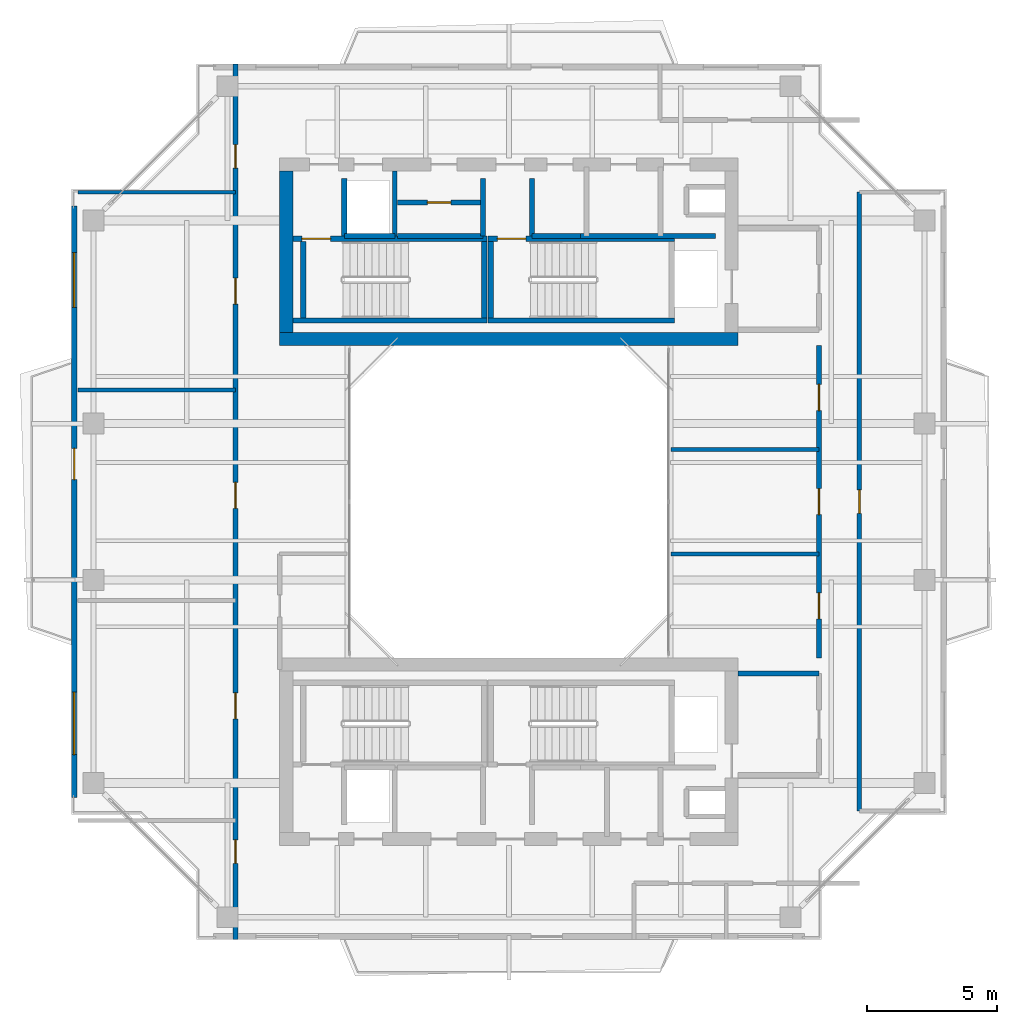
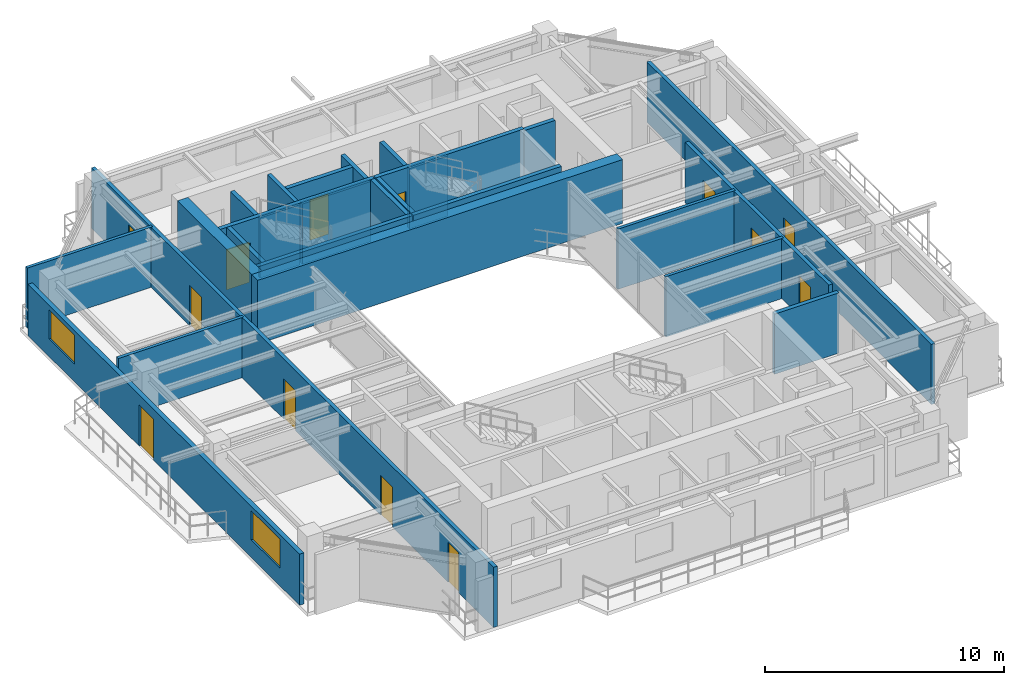
# One storey, part 11 of 15: 27 walls, 13 doors, 2 windows, 15 openings.
"""IFC4 building model written with IfcOpenShell, lengths in metres."""

from ifc_helpers import new_model, si_unit, direction, frame, frame_2d, origin, place, context, subcontext, project, spatial, rectangle, extrude, source, transform, mapped, material, layer, layer_set, type_object, element, fill, save


model = new_model("IFC4")

# Units and contexts
model_context = context("Model", 3, precision=1e-05, world=origin(), true_north=direction((0.0, 1.0)))
body_context = subcontext(model_context, "Body", "Model", "MODEL_VIEW")
ifc_project = project(units=[si_unit("LENGTHUNIT", "METRE"), si_unit("AREAUNIT", "SQUARE_METRE"), si_unit("VOLUMEUNIT", "CUBIC_METRE"), si_unit("PLANEANGLEUNIT", "RADIAN"), si_unit("MASSUNIT", "GRAM", prefix="KILO"), si_unit("THERMODYNAMICTEMPERATUREUNIT", "KELVIN"), si_unit("POWERUNIT", "WATT")], contexts=[model_context])

# Site, building, storey
site_placement = place(None, origin())
site = spatial("IfcSite", under=ifc_project, at=site_placement, CompositionType="ELEMENT")
building_placement = place(site_placement, origin())
building = spatial("IfcBuilding", under=site, at=building_placement, Name="Qiaomeng Ring Towers", CompositionType="ELEMENT")
storey_placement = place(building_placement, frame((0.0, 0.0, 219.75)))
storey = spatial("IfcBuildingStorey", under=building, at=storey_placement, Name="L64", CompositionType="ELEMENT", Elevation=219.75)

# Wall, openings, windows, door
ifc_material_1 = material(Name="Precast concrete C40", Category="concrete")
ifc_layer_1 = layer(ifc_material_1, 0.219970703125, Name="Precast concrete C40")
ifc_layer_set_1 = layer_set([ifc_layer_1], Name="Precast concrete C40")
wall_type_1 = type_object("IfcWallType", Name="ARC-WL-EW2", PredefinedType="STANDARD", material=ifc_layer_set_1)
wall_1_placement = place(storey_placement, frame((2.31005859375, 11.64990234375, 0.0), z_axis=(0.0, 0.0, 1.0), x_axis=(0.0, 1.0, 0.0)))
wall_1 = element("IfcWall", 1, at=wall_1_placement, inside=storey, type_object=wall_type_1, Name="L64 Tower 1 W Exterior Wall", PredefinedType="STANDARD", context=body_context, shape_type="SweptSolid", body=[
    extrude(rectangle(XDim=22.7001953125, YDim=0.219970703125, at=frame_2d((11.35009765625, 0.0))), origin(), (0.0, 0.0, 1.0), 2.610107421875),
])
opening_1_placement = place(wall_1_placement, frame((12.199951171875, 0.0, 0.0)))
opening_1 = element("IfcOpeningElement", 2, at=opening_1_placement, cuts=wall_1, Name="Opening BD1", PredefinedType="OPENING", context=body_context, shape_type="SweptSolid", body=[
    extrude(rectangle(XDim=1.199951171875, YDim=2.10009765625, at=frame_2d((0.60009765625, 1.050048828125))), frame((0.0, 0.119873046875, 0.0), z_axis=(0.0, -1.0, 0.0), x_axis=(1.0, 0.0, 0.0)), (0.0, 0.0, 1.0), 0.239990234375),
])
opening_2_placement = place(wall_1_placement, frame((1.637939453125, 0.0, 0.89990234375)))
opening_2 = element("IfcOpeningElement", 3, at=opening_2_placement, cuts=wall_1, Name="Opening WN6", PredefinedType="OPENING", context=body_context, shape_type="SweptSolid", body=[
    extrude(rectangle(XDim=2.39990234375, YDim=1.47998046875, at=frame_2d((1.199951171875, 0.739990234375))), frame((0.0, 0.119873046875, 0.0), z_axis=(0.0, -1.0, 0.0), x_axis=(1.0, 0.0, 0.0)), (0.0, 0.0, 1.0), 0.239990234375),
])
opening_3_placement = place(wall_1_placement, frame((18.81298828125, 0.0, 0.89990234375)))
opening_3 = element("IfcOpeningElement", 4, at=opening_3_placement, cuts=wall_1, Name="Opening WN4", PredefinedType="OPENING", context=body_context, shape_type="SweptSolid", body=[
    extrude(rectangle(XDim=2.10009765625, YDim=1.47998046875, at=frame_2d((1.050048828125, 0.739990234375))), frame((0.0, 0.119873046875, 0.0), z_axis=(0.0, -1.0, 0.0), x_axis=(1.0, 0.0, 0.0)), (0.0, 0.0, 1.0), 0.239990234375),
])
ifc_material_2 = material(Name="Low-E dark-grey laminated double glazing", Category="glass")
window_type_1 = type_object("IfcWindowType", Name="ARC-WN-4", PartitioningType="TRIPLE_PANEL_VERTICAL", PredefinedType="WINDOW", material=ifc_material_2)
shared_shape_1 = source(origin(), body_context, "Body", "SweptSolid", [
    extrude(rectangle(XDim=2.10009765625, YDim=1.47998046875, at=frame_2d((1.050048828125, 0.739990234375))), frame((0.0, 0.030029296875, 0.0), z_axis=(0.0, -1.0, 0.0), x_axis=(1.0, 0.0, 0.0)), (0.0, 0.0, 1.0), 0.06005859375),
])
window_1_placement = place(opening_3_placement, origin())
window_1 = element("IfcWindow", 5, at=window_1_placement, inside=storey, type_object=window_type_1, Name="L64 Exterior Window WN4", OverallHeight=1.47998046875, OverallWidth=2.10009765625, PartitioningType="TRIPLE_PANEL_VERTICAL", PredefinedType="WINDOW", context=body_context, shape_type="MappedRepresentation", body=[
    mapped(shared_shape_1, transform((0.0, 0.0, 0.0), x_axis=(1.0, 0.0, 0.0), y_axis=(0.0, 1.0, 0.0), z_axis=(0.0, 0.0, 1.0), scale=1.0)),
])
fill(opening_3, window_1)
window_type_2 = type_object("IfcWindowType", Name="ARC-WN-6", PartitioningType="TRIPLE_PANEL_VERTICAL", PredefinedType="WINDOW", material=ifc_material_2)
shared_shape_2 = source(origin(), body_context, "Body", "SweptSolid", [
    extrude(rectangle(XDim=2.39990234375, YDim=1.47998046875, at=frame_2d((1.199951171875, 0.739990234375))), frame((0.0, 0.030029296875, 0.0), z_axis=(0.0, -1.0, 0.0), x_axis=(1.0, 0.0, 0.0)), (0.0, 0.0, 1.0), 0.06005859375),
])
window_2_placement = place(opening_2_placement, origin())
window_2 = element("IfcWindow", 6, at=window_2_placement, inside=storey, type_object=window_type_2, Name="L64 Exterior Window WN6", OverallHeight=1.47998046875, OverallWidth=2.39990234375, PartitioningType="TRIPLE_PANEL_VERTICAL", PredefinedType="WINDOW", context=body_context, shape_type="MappedRepresentation", body=[
    mapped(shared_shape_2, transform((0.0, 0.0, 0.0), x_axis=(1.0, 0.0, 0.0), y_axis=(0.0, 1.0, 0.0), z_axis=(0.0, 0.0, 1.0), scale=1.0)),
])
fill(opening_2, window_2)
door_type_1 = type_object("IfcDoorType", Name="ARC-DR-BD1", OperationType="NOTDEFINED", PredefinedType="DOOR", material=ifc_material_2)
shared_shape_3 = source(origin(), body_context, "Body", "SweptSolid", [
    extrude(rectangle(XDim=1.199951171875, YDim=2.10009765625, at=frame_2d((0.60009765625, 1.050048828125))), frame((0.0, 0.02490234375, 0.0), z_axis=(0.0, -1.0, 0.0), x_axis=(1.0, 0.0, 0.0)), (0.0, 0.0, 1.0), 0.050048828125),
])
door_1_placement = place(opening_1_placement, frame((1.199951171875, 0.0, 0.0), z_axis=(0.0, 0.0, 1.0), x_axis=(-1.0, 0.0, 0.0)))
door_1 = element("IfcDoor", 7, at=door_1_placement, inside=storey, type_object=door_type_1, Name="L64 W Balcony Glazed Door", OperationType="SINGLE_SWING_LEFT", OverallHeight=2.10009765625, OverallWidth=1.199951171875, PredefinedType="DOOR", context=body_context, shape_type="MappedRepresentation", body=[
    mapped(shared_shape_3, transform((0.0, 0.0, 0.0), x_axis=(1.0, 0.0, 0.0), y_axis=(0.0, 1.0, 0.0), z_axis=(0.0, 0.0, 1.0), scale=1.0)),
])
fill(opening_1, door_1)

# Walls
ifc_material_3 = material(Name="Autoclaved aerated concrete block", Category="concrete")
ifc_layer_2 = layer(ifc_material_3, 0.199951171875, Name="Autoclaved aerated concrete block")
ifc_layer_set_2 = layer_set([ifc_layer_2], Name="Autoclaved aerated concrete block")
wall_type_2 = type_object("IfcWallType", Name="ARC-WL-PW1", PredefinedType="PARTITIONING", material=ifc_layer_set_2)
wall_2_placement = place(storey_placement, frame((27.800048828125, 16.39990234375, 0.0), z_axis=(0.0, 0.0, 1.0), x_axis=(1.0, 0.0, 0.0)))
element("IfcWall", 8, at=wall_2_placement, inside=storey, type_object=wall_type_2, Name="L64 Interior Wall PW1", PredefinedType="PARTITIONING", context=body_context, shape_type="SweptSolid", body=[
    extrude(rectangle(XDim=3.099853515625, YDim=0.199951171875, at=frame_2d((1.5498046875, 0.0))), origin(), (0.0, 0.0, 1.0), 3.070068359375),
])
for number, where, z_axis, x_axis, name in (
    (9, (12.679931640625, 33.18994140625, 0.0), (0.0, 0.0, 1.0), (0.0, 1.0, 0.0), "L64 Interior Wall PW1"),
    (10, (18.0, 33.18994140625, 0.0), (0.0, 0.0, 1.0), (0.0, 1.0, 0.0), "L64 Interior Wall PW1"),
    (11, (19.8798828125, 33.18994140625, 0.0), (0.0, 0.0, 1.0), (0.0, 1.0, 0.0), "L64 Interior Wall PW1"),
):
    element("IfcWall", number, at=place(storey_placement, frame(where, z_axis=z_axis, x_axis=x_axis)), inside=storey, type_object=wall_type_2, Name=name, PredefinedType="PARTITIONING", context=body_context, shape_type="SweptSolid", body=[
        extrude(rectangle(XDim=2.2099609375, YDim=0.199951171875, at=frame_2d((1.10498046875, 0.0))), origin(), (0.0, 0.0, 1.0), 3.070068359375),
    ])

# Wall, opening, door
wall_3_placement = place(storey_placement, frame((14.719970703125, 34.47998046875, 0.0), z_axis=(0.0, 0.0, 1.0), x_axis=(1.0, 0.0, 0.0)))
wall_3 = element("IfcWall", 12, at=wall_3_placement, inside=storey, type_object=wall_type_2, Name="L64 Interior Wall PW1", PredefinedType="PARTITIONING", context=body_context, shape_type="SweptSolid", body=[
    extrude(rectangle(XDim=3.280029296875, YDim=0.199951171875, at=frame_2d((1.64013671875, 0.0))), origin(), (0.0, 0.0, 1.0), 3.070068359375),
])
opening_4_placement = place(wall_3_placement, frame((1.14990234375, 0.0, 0.0)))
opening_4 = element("IfcOpeningElement", 13, at=opening_4_placement, cuts=wall_3, Name="Opening ID1", PredefinedType="OPENING", context=body_context, shape_type="SweptSolid", body=[
    extrude(rectangle(XDim=0.89990234375, YDim=2.050048828125, at=frame_2d((0.449951171875, 1.02490234375))), frame((0.0, 0.10986328125, 0.0), z_axis=(0.0, -1.0, 0.0), x_axis=(1.0, 0.0, 0.0)), (0.0, 0.0, 1.0), 0.219970703125),
])
ifc_material_4 = material(Name="Engineered oak timber", Category="wood")
door_type_2 = type_object("IfcDoorType", Name="ARC-DR-ID1", OperationType="NOTDEFINED", PredefinedType="DOOR", material=ifc_material_4)
shared_shape_4 = source(origin(), body_context, "Body", "SweptSolid", [
    extrude(rectangle(XDim=0.89990234375, YDim=2.050048828125, at=frame_2d((0.449951171875, 1.02490234375))), frame((0.0, 0.02490234375, 0.0), z_axis=(0.0, -1.0, 0.0), x_axis=(1.0, 0.0, 0.0)), (0.0, 0.0, 1.0), 0.050048828125),
])
door_2_placement = place(opening_4_placement, origin())
door_2 = element("IfcDoor", 14, at=door_2_placement, inside=storey, type_object=door_type_2, Name="L64 Door ID1", OperationType="SINGLE_SWING_RIGHT", OverallHeight=2.050048828125, OverallWidth=0.89990234375, PredefinedType="DOOR", context=body_context, shape_type="MappedRepresentation", body=[
    mapped(shared_shape_4, transform((0.0, 0.0, 0.0), x_axis=(1.0, 0.0, 0.0), y_axis=(0.0, 1.0, 0.0), z_axis=(0.0, 0.0, 1.0), scale=1.0)),
])
fill(opening_4, door_2)

# Walls
wall_4_placement = place(storey_placement, frame((14.719970703125, 33.199951171875, 0.0), z_axis=(0.0, 0.0, 1.0), x_axis=(1.0, 0.0, 0.0)))
element("IfcWall", 15, at=wall_4_placement, inside=storey, type_object=wall_type_2, Name="L64 Interior Wall PW1", PredefinedType="PARTITIONING", context=body_context, shape_type="SweptSolid", body=[
    extrude(rectangle(XDim=3.280029296875, YDim=0.199951171875, at=frame_2d((1.64013671875, 0.0))), origin(), (0.0, 0.0, 1.0), 3.070068359375),
])
wall_5_placement = place(storey_placement, frame((19.8798828125, 33.199951171875, 0.0), z_axis=(0.0, 0.0, 1.0), x_axis=(1.0, 0.0, 0.0)))
element("IfcWall", 16, at=wall_5_placement, inside=storey, type_object=wall_type_2, Name="L64 Interior Wall PW1", PredefinedType="PARTITIONING", context=body_context, shape_type="SweptSolid", body=[
    extrude(rectangle(XDim=1.8701171875, YDim=0.199951171875, at=frame_2d((0.93505859375, 0.0))), origin(), (0.0, 0.0, 1.0), 3.070068359375),
])
wall_6_placement = place(storey_placement, frame((21.75, 33.199951171875, 0.0), z_axis=(0.0, 0.0, 1.0), x_axis=(1.0, 0.0, 0.0)))
element("IfcWall", 17, at=wall_6_placement, inside=storey, type_object=wall_type_2, Name="L64 Interior Wall PW1", PredefinedType="PARTITIONING", context=body_context, shape_type="SweptSolid", body=[
    extrude(rectangle(XDim=5.169921875, YDim=0.199951171875, at=frame_2d((2.5849609375, 0.0))), origin(), (0.0, 0.0, 1.0), 3.070068359375),
])

# Wall, openings, doors
ifc_layer_3 = layer(ifc_material_3, 0.179931640625, Name="Autoclaved aerated concrete block")
ifc_layer_set_3 = layer_set([ifc_layer_3], Name="Autoclaved aerated concrete block")
wall_type_3 = type_object("IfcWallType", Name="ARC-WL-PW2", PredefinedType="PARTITIONING", material=ifc_layer_set_3)
wall_7_placement = place(storey_placement, frame((8.5, 6.199951171875, 0.0), z_axis=(0.0, 0.0, 1.0), x_axis=(0.0, 1.0, 0.0)))
wall_7 = element("IfcWall", 18, at=wall_7_placement, inside=storey, type_object=wall_type_3, Name="L64 Interior Wall PW2", PredefinedType="PARTITIONING", context=body_context, shape_type="SweptSolid", body=[
    extrude(rectangle(XDim=33.60009765625, YDim=0.179931640625, at=frame_2d((16.800048828125, 0.0))), origin(), (0.0, 0.0, 1.0), 3.070068359375),
])
opening_5_placement = place(wall_7_placement, frame((29.60498046875, 0.0, 0.0)))
opening_5 = element("IfcOpeningElement", 19, at=opening_5_placement, cuts=wall_7, Name="Opening ID1", PredefinedType="OPENING", context=body_context, shape_type="SweptSolid", body=[
    extrude(rectangle(XDim=0.89990234375, YDim=2.050048828125, at=frame_2d((0.449951171875, 1.02490234375))), frame((0.0, 0.099853515625, 0.0), z_axis=(0.0, -1.0, 0.0), x_axis=(1.0, 0.0, 0.0)), (0.0, 0.0, 1.0), 0.199951171875),
])
opening_6_placement = place(wall_7_placement, frame((2.919921875, 0.0, 0.0)))
opening_6 = element("IfcOpeningElement", 20, at=opening_6_placement, cuts=wall_7, Name="Opening ID1", PredefinedType="OPENING", context=body_context, shape_type="SweptSolid", body=[
    extrude(rectangle(XDim=0.89990234375, YDim=2.050048828125, at=frame_2d((0.449951171875, 1.02490234375))), frame((0.0, 0.099853515625, 0.0), z_axis=(0.0, -1.0, 0.0), x_axis=(1.0, 0.0, 0.0)), (0.0, 0.0, 1.0), 0.199951171875),
])
opening_7_placement = place(wall_7_placement, frame((8.4599609375, 0.0, 0.0)))
opening_7 = element("IfcOpeningElement", 21, at=opening_7_placement, cuts=wall_7, Name="Opening FD4", PredefinedType="OPENING", context=body_context, shape_type="SweptSolid", body=[
    extrude(rectangle(XDim=1.0, YDim=2.050048828125, at=frame_2d((0.5, 1.02490234375))), frame((0.0, 0.099853515625, 0.0), z_axis=(0.0, -1.0, 0.0), x_axis=(1.0, 0.0, 0.0)), (0.0, 0.0, 1.0), 0.199951171875),
])
opening_8_placement = place(wall_7_placement, frame((16.5400390625, 0.0, 0.0)))
opening_8 = element("IfcOpeningElement", 22, at=opening_8_placement, cuts=wall_7, Name="Opening FD4", PredefinedType="OPENING", context=body_context, shape_type="SweptSolid", body=[
    extrude(rectangle(XDim=1.0, YDim=2.050048828125, at=frame_2d((0.5, 1.02490234375))), frame((0.0, 0.099853515625, 0.0), z_axis=(0.0, -1.0, 0.0), x_axis=(1.0, 0.0, 0.0)), (0.0, 0.0, 1.0), 0.199951171875),
])
opening_9_placement = place(wall_7_placement, frame((24.3798828125, 0.0, 0.0)))
opening_9 = element("IfcOpeningElement", 23, at=opening_9_placement, cuts=wall_7, Name="Opening FD4", PredefinedType="OPENING", context=body_context, shape_type="SweptSolid", body=[
    extrude(rectangle(XDim=1.0, YDim=2.050048828125, at=frame_2d((0.5, 1.02490234375))), frame((0.0, 0.099853515625, 0.0), z_axis=(0.0, -1.0, 0.0), x_axis=(1.0, 0.0, 0.0)), (0.0, 0.0, 1.0), 0.199951171875),
])
ifc_material_5 = material(Name="Engineered fire-rated oak timber", Category="wood")
door_type_3 = type_object("IfcDoorType", Name="ARC-DR-FD4", OperationType="NOTDEFINED", PredefinedType="DOOR", material=ifc_material_5)
shared_shape_5 = source(origin(), body_context, "Body", "SweptSolid", [
    extrude(rectangle(XDim=1.0, YDim=2.050048828125, at=frame_2d((0.5, 1.02490234375))), frame((0.0, 0.02490234375, 0.0), z_axis=(0.0, -1.0, 0.0), x_axis=(1.0, 0.0, 0.0)), (0.0, 0.0, 1.0), 0.050048828125),
])
door_3_placement = place(opening_7_placement, origin())
door_3 = element("IfcDoor", 24, at=door_3_placement, inside=storey, type_object=door_type_3, Name="L64 Door FD4", OperationType="SINGLE_SWING_RIGHT", OverallHeight=2.050048828125, OverallWidth=1.0, PredefinedType="DOOR", context=body_context, shape_type="MappedRepresentation", body=[
    mapped(shared_shape_5, transform((0.0, 0.0, 0.0), x_axis=(1.0, 0.0, 0.0), y_axis=(0.0, 1.0, 0.0), z_axis=(0.0, 0.0, 1.0), scale=1.0)),
])
fill(opening_7, door_3)
door_4_placement = place(opening_8_placement, origin())
door_4 = element("IfcDoor", 25, at=door_4_placement, inside=storey, type_object=door_type_3, Name="L64 Door FD4", OperationType="SINGLE_SWING_LEFT", OverallHeight=2.050048828125, OverallWidth=1.0, PredefinedType="DOOR", context=body_context, shape_type="MappedRepresentation", body=[
    mapped(shared_shape_5, transform((0.0, 0.0, 0.0), x_axis=(1.0, 0.0, 0.0), y_axis=(0.0, 1.0, 0.0), z_axis=(0.0, 0.0, 1.0), scale=1.0)),
])
fill(opening_8, door_4)
door_5_placement = place(opening_9_placement, origin())
door_5 = element("IfcDoor", 26, at=door_5_placement, inside=storey, type_object=door_type_3, Name="L64 Door FD4", OperationType="SINGLE_SWING_RIGHT", OverallHeight=2.050048828125, OverallWidth=1.0, PredefinedType="DOOR", context=body_context, shape_type="MappedRepresentation", body=[
    mapped(shared_shape_5, transform((0.0, 0.0, 0.0), x_axis=(1.0, 0.0, 0.0), y_axis=(0.0, 1.0, 0.0), z_axis=(0.0, 0.0, 1.0), scale=1.0)),
])
fill(opening_9, door_5)
door_6_placement = place(opening_5_placement, origin())
door_6 = element("IfcDoor", 27, at=door_6_placement, inside=storey, type_object=door_type_2, Name="L64 Door ID1", OperationType="SINGLE_SWING_RIGHT", OverallHeight=2.050048828125, OverallWidth=0.89990234375, PredefinedType="DOOR", context=body_context, shape_type="MappedRepresentation", body=[
    mapped(shared_shape_4, transform((0.0, 0.0, 0.0), x_axis=(1.0, 0.0, 0.0), y_axis=(0.0, 1.0, 0.0), z_axis=(0.0, 0.0, 1.0), scale=1.0)),
])
fill(opening_5, door_6)
door_7_placement = place(opening_6_placement, origin())
door_7 = element("IfcDoor", 28, at=door_7_placement, inside=storey, type_object=door_type_2, Name="L64 Door ID1", OperationType="SINGLE_SWING_LEFT", OverallHeight=2.050048828125, OverallWidth=0.89990234375, PredefinedType="DOOR", context=body_context, shape_type="MappedRepresentation", body=[
    mapped(shared_shape_4, transform((0.0, 0.0, 0.0), x_axis=(1.0, 0.0, 0.0), y_axis=(0.0, 1.0, 0.0), z_axis=(0.0, 0.0, 1.0), scale=1.0)),
])
fill(opening_6, door_7)

wall_8_placement = place(storey_placement, frame((30.89990234375, 17.0, 0.0), z_axis=(0.0, 0.0, 1.0), x_axis=(0.0, 1.0, 0.0)))
wall_8 = element("IfcWall", 29, at=wall_8_placement, inside=storey, type_object=wall_type_3, Name="L64 Interior Wall PW2", PredefinedType="PARTITIONING", context=body_context, shape_type="SweptSolid", body=[
    extrude(rectangle(XDim=12.0, YDim=0.179931640625, at=frame_2d((6.0, 0.0))), origin(), (0.0, 0.0, 1.0), 3.070068359375),
])
opening_10_placement = place(wall_8_placement, frame((1.5, 0.0, 0.0)))
opening_10 = element("IfcOpeningElement", 30, at=opening_10_placement, cuts=wall_8, Name="Opening FD4", PredefinedType="OPENING", context=body_context, shape_type="SweptSolid", body=[
    extrude(rectangle(XDim=1.0, YDim=2.050048828125, at=frame_2d((0.5, 1.02490234375))), frame((0.0, 0.099853515625, 0.0), z_axis=(0.0, -1.0, 0.0), x_axis=(1.0, 0.0, 0.0)), (0.0, 0.0, 1.0), 0.199951171875),
])
opening_11_placement = place(wall_8_placement, frame((5.5, 0.0, 0.0)))
opening_11 = element("IfcOpeningElement", 31, at=opening_11_placement, cuts=wall_8, Name="Opening FD4", PredefinedType="OPENING", context=body_context, shape_type="SweptSolid", body=[
    extrude(rectangle(XDim=1.0, YDim=2.050048828125, at=frame_2d((0.5, 1.02490234375))), frame((0.0, 0.099853515625, 0.0), z_axis=(0.0, -1.0, 0.0), x_axis=(1.0, 0.0, 0.0)), (0.0, 0.0, 1.0), 0.199951171875),
])
opening_12_placement = place(wall_8_placement, frame((9.5, 0.0, 0.0)))
opening_12 = element("IfcOpeningElement", 32, at=opening_12_placement, cuts=wall_8, Name="Opening FD4", PredefinedType="OPENING", context=body_context, shape_type="SweptSolid", body=[
    extrude(rectangle(XDim=1.0, YDim=2.050048828125, at=frame_2d((0.5, 1.02490234375))), frame((0.0, 0.099853515625, 0.0), z_axis=(0.0, -1.0, 0.0), x_axis=(1.0, 0.0, 0.0)), (0.0, 0.0, 1.0), 0.199951171875),
])
door_8_placement = place(opening_10_placement, origin())
door_8 = element("IfcDoor", 33, at=door_8_placement, inside=storey, type_object=door_type_3, Name="L64 Door FD4", OperationType="SINGLE_SWING_RIGHT", OverallHeight=2.050048828125, OverallWidth=1.0, PredefinedType="DOOR", context=body_context, shape_type="MappedRepresentation", body=[
    mapped(shared_shape_5, transform((0.0, 0.0, 0.0), x_axis=(1.0, 0.0, 0.0), y_axis=(0.0, 1.0, 0.0), z_axis=(0.0, 0.0, 1.0), scale=1.0)),
])
fill(opening_10, door_8)
door_9_placement = place(opening_11_placement, origin())
door_9 = element("IfcDoor", 34, at=door_9_placement, inside=storey, type_object=door_type_3, Name="L64 Door FD4", OperationType="SINGLE_SWING_LEFT", OverallHeight=2.050048828125, OverallWidth=1.0, PredefinedType="DOOR", context=body_context, shape_type="MappedRepresentation", body=[
    mapped(shared_shape_5, transform((0.0, 0.0, 0.0), x_axis=(1.0, 0.0, 0.0), y_axis=(0.0, 1.0, 0.0), z_axis=(0.0, 0.0, 1.0), scale=1.0)),
])
fill(opening_11, door_9)
door_10_placement = place(opening_12_placement, origin())
door_10 = element("IfcDoor", 35, at=door_10_placement, inside=storey, type_object=door_type_3, Name="L64 Door FD4", OperationType="SINGLE_SWING_RIGHT", OverallHeight=2.050048828125, OverallWidth=1.0, PredefinedType="DOOR", context=body_context, shape_type="MappedRepresentation", body=[
    mapped(shared_shape_5, transform((0.0, 0.0, 0.0), x_axis=(1.0, 0.0, 0.0), y_axis=(0.0, 1.0, 0.0), z_axis=(0.0, 0.0, 1.0), scale=1.0)),
])
fill(opening_12, door_10)

# Wall, opening, door
wall_9_placement = place(storey_placement, frame((32.449951171875, 11.1201171875, 0.0), z_axis=(0.0, 0.0, 1.0), x_axis=(0.0, 1.0, 0.0)))
wall_9 = element("IfcWall", 36, at=wall_9_placement, inside=storey, type_object=wall_type_3, Name="L64 Interior Wall PW2", PredefinedType="PARTITIONING", context=body_context, shape_type="SweptSolid", body=[
    extrude(rectangle(XDim=23.759765625, YDim=0.179931640625, at=frame_2d((11.8798828125, 0.0))), origin(), (0.0, 0.0, 1.0), 3.070068359375),
])
opening_13_placement = place(wall_9_placement, frame((11.429931640625, 0.0, 0.0)))
opening_13 = element("IfcOpeningElement", 37, at=opening_13_placement, cuts=wall_9, Name="Opening ID1", PredefinedType="OPENING", context=body_context, shape_type="SweptSolid", body=[
    extrude(rectangle(XDim=0.89990234375, YDim=2.050048828125, at=frame_2d((0.449951171875, 1.02490234375))), frame((0.0, 0.099853515625, 0.0), z_axis=(0.0, -1.0, 0.0), x_axis=(1.0, 0.0, 0.0)), (0.0, 0.0, 1.0), 0.199951171875),
])
door_11_placement = place(opening_13_placement, origin())
door_11 = element("IfcDoor", 38, at=door_11_placement, inside=storey, type_object=door_type_2, Name="L64 Door ID1", OperationType="SINGLE_SWING_LEFT", OverallHeight=2.050048828125, OverallWidth=0.89990234375, PredefinedType="DOOR", context=body_context, shape_type="MappedRepresentation", body=[
    mapped(shared_shape_4, transform((0.0, 0.0, 0.0), x_axis=(1.0, 0.0, 0.0), y_axis=(0.0, 1.0, 0.0), z_axis=(0.0, 0.0, 1.0), scale=1.0)),
])
fill(opening_13, door_11)

# Walls
ifc_material_6 = material(Name="Gypsum fireboard steel-stud partition", Category="steel")
ifc_layer_4 = layer(ifc_material_6, 0.14990234375, Name="Gypsum fireboard steel-stud partition")
ifc_layer_set_4 = layer_set([ifc_layer_4], Name="Gypsum fireboard steel-stud partition")
wall_type_4 = type_object("IfcWallType", Name="ARC-WL-PW3", PredefinedType="PARTITIONING", material=ifc_layer_set_4)
for number, where, z_axis, x_axis, name in (
    (39, (2.449951171875, 34.8798828125, 0.0), (0.0, 0.0, 1.0), (1.0, 0.0, 0.0), "L64 Interior Wall PW3"),
    (40, (2.449951171875, 27.280029296875, 0.0), (0.0, 0.0, 1.0), (1.0, 0.0, 0.0), "L64 Interior Wall PW3"),
):
    element("IfcWall", number, at=place(storey_placement, frame(where, z_axis=z_axis, x_axis=x_axis)), inside=storey, type_object=wall_type_4, Name=name, PredefinedType="PARTITIONING", context=body_context, shape_type="SweptSolid", body=[
        extrude(rectangle(XDim=6.050048828125, YDim=0.14990234375, at=frame_2d((3.02490234375, 0.0))), origin(), (0.0, 0.0, 1.0), 3.070068359375),
    ])
for number, where, z_axis, x_axis, name in (
    (41, (25.219970703125, 21.0, 0.0), (0.0, 0.0, 1.0), (1.0, 0.0, 0.0), "L64 Interior Wall PW3"),
    (42, (25.219970703125, 25.0, 0.0), (0.0, 0.0, 1.0), (1.0, 0.0, 0.0), "L64 Interior Wall PW3"),
):
    element("IfcWall", number, at=place(storey_placement, frame(where, z_axis=z_axis, x_axis=x_axis)), inside=storey, type_object=wall_type_4, Name=name, PredefinedType="PARTITIONING", context=body_context, shape_type="SweptSolid", body=[
        extrude(rectangle(XDim=5.679931640625, YDim=0.14990234375, at=frame_2d((2.83984375, 0.0))), origin(), (0.0, 0.0, 1.0), 3.070068359375),
    ])
ifc_material_7 = material(Name="Concrete C40", Category="concrete")
ifc_layer_5 = layer(ifc_material_7, 0.199951171875, Name="Concrete C40")
ifc_layer_set_5 = layer_set([ifc_layer_5], Name="Concrete C40")
wall_type_5 = type_object("IfcWallType", Name="STR-WL-STSHAFT", PredefinedType="SHEAR", material=ifc_layer_set_5)
wall_10_placement = place(storey_placement, frame((12.679931640625, 33.199951171875, 0.0), z_axis=(0.0, 0.0, 1.0), x_axis=(1.0, 0.0, 0.0)))
element("IfcWall", 43, at=wall_10_placement, inside=storey, type_object=wall_type_5, Name="L64 Lift LP5 Shaft Back Wall", PredefinedType="SHEAR", context=body_context, shape_type="SweptSolid", body=[
    extrude(rectangle(XDim=1.940185546875, YDim=0.179931640625, at=frame_2d((0.97021484375, 0.0))), origin(), (0.0, 0.0, 1.0), 3.070068359375),
])
wall_11_placement = place(storey_placement, frame((14.6201171875, 33.199951171875, 0.0), z_axis=(0.0, 0.0, 1.0), x_axis=(0.0, 1.0, 0.0)))
element("IfcWall", 44, at=wall_11_placement, inside=storey, type_object=wall_type_5, Name="L64 Lift LP5-LP3 Shaft Divider Wall", PredefinedType="SHEAR", context=body_context, shape_type="SweptSolid", body=[
    extrude(rectangle(XDim=2.5, YDim=0.179931640625, at=frame_2d((1.25, 0.0))), origin(), (0.0, 0.0, 1.0), 3.070068359375),
])
wall_12_placement = place(storey_placement, frame((10.699951171875, 29.949951171875, 0.0), z_axis=(0.0, 0.0, 1.0), x_axis=(1.0, 0.0, 0.0)))
element("IfcWall", 45, at=wall_12_placement, inside=storey, type_object=wall_type_5, Name="L64 Stair ST1 South Shaft Shear Wall", PredefinedType="SHEAR", context=body_context, shape_type="SweptSolid", body=[
    extrude(rectangle(XDim=7.449951171875, YDim=0.199951171875, at=frame_2d((3.72509765625, 0.0))), origin(), (0.0, 0.0, 1.0), 3.25),
])

# Wall, opening, door
wall_13_placement = place(storey_placement, frame((10.699951171875, 33.090087890625, 0.0), z_axis=(0.0, 0.0, 1.0), x_axis=(1.0, 0.0, 0.0)))
wall_13 = element("IfcWall", 46, at=wall_13_placement, inside=storey, type_object=wall_type_5, Name="L64 Stair ST1 North Shaft Shear Wall", PredefinedType="SHEAR", context=body_context, shape_type="SweptSolid", body=[
    extrude(rectangle(XDim=7.449951171875, YDim=0.199951171875, at=frame_2d((3.72509765625, 0.0))), origin(), (0.0, 0.0, 1.0), 3.25),
])
opening_14_placement = place(wall_13_placement, frame((0.35009765625, 0.0, 0.0)))
opening_14 = element("IfcOpeningElement", 47, at=opening_14_placement, cuts=wall_13, Name="Opening FD3", PredefinedType="OPENING", context=body_context, shape_type="SweptSolid", body=[
    extrude(rectangle(XDim=1.10009765625, YDim=2.050048828125, at=frame_2d((0.550048828125, 1.02490234375))), frame((0.0, 0.10986328125, 0.0), z_axis=(0.0, -1.0, 0.0), x_axis=(1.0, 0.0, 0.0)), (0.0, 0.0, 1.0), 0.219970703125),
])
ifc_material_8 = material(Name="Galvanised steel", Category="steel")
door_type_4 = type_object("IfcDoorType", Name="ARC-DR-FD3", OperationType="NOTDEFINED", PredefinedType="DOOR", material=ifc_material_8)
shared_shape_6 = source(origin(), body_context, "Body", "SweptSolid", [
    extrude(rectangle(XDim=1.10009765625, YDim=2.050048828125, at=frame_2d((0.550048828125, 1.02490234375))), frame((0.0, 0.02490234375, 0.0), z_axis=(0.0, -1.0, 0.0), x_axis=(1.0, 0.0, 0.0)), (0.0, 0.0, 1.0), 0.050048828125),
])
door_12_placement = place(opening_14_placement, origin())
door_12 = element("IfcDoor", 48, at=door_12_placement, inside=storey, type_object=door_type_4, Name="L64 Stair ST1 Exit Door", OperationType="SINGLE_SWING_LEFT", OverallHeight=2.050048828125, OverallWidth=1.10009765625, PredefinedType="DOOR", context=body_context, shape_type="MappedRepresentation", body=[
    mapped(shared_shape_6, transform((0.0, 0.0, 0.0), x_axis=(1.0, 0.0, 0.0), y_axis=(0.0, 1.0, 0.0), z_axis=(0.0, 0.0, 1.0), scale=1.0)),
])
fill(opening_14, door_12)

# Walls
for number, where, z_axis, x_axis, name in (
    (49, (11.10009765625, 30.050048828125, 0.0), (0.0, 0.0, 1.0), (0.0, 1.0, 0.0), "L64 Stair ST1 West Shaft Shear Wall"),
    (50, (18.050048828125, 30.050048828125, 0.0), (0.0, 0.0, 1.0), (0.0, 1.0, 0.0), "L64 Stair ST1 East Shaft Shear Wall"),
):
    element("IfcWall", number, at=place(storey_placement, frame(where, z_axis=z_axis, x_axis=x_axis)), inside=storey, type_object=wall_type_5, Name=name, PredefinedType="SHEAR", context=body_context, shape_type="SweptSolid", body=[
        extrude(rectangle(XDim=2.93994140625, YDim=0.199951171875, at=frame_2d((1.469970703125, 0.0))), origin(), (0.0, 0.0, 1.0), 3.25),
    ])
wall_14_placement = place(storey_placement, frame((18.199951171875, 29.949951171875, 0.0), z_axis=(0.0, 0.0, 1.0), x_axis=(1.0, 0.0, 0.0)))
element("IfcWall", 51, at=wall_14_placement, inside=storey, type_object=wall_type_5, Name="L64 Stair ST2 South Shaft Shear Wall", PredefinedType="SHEAR", context=body_context, shape_type="SweptSolid", body=[
    extrude(rectangle(XDim=7.150146484375, YDim=0.199951171875, at=frame_2d((3.5751953125, 0.0))), origin(), (0.0, 0.0, 1.0), 3.25),
])

# Wall, opening, door
wall_15_placement = place(storey_placement, frame((18.199951171875, 33.090087890625, 0.0), z_axis=(0.0, 0.0, 1.0), x_axis=(1.0, 0.0, 0.0)))
wall_15 = element("IfcWall", 52, at=wall_15_placement, inside=storey, type_object=wall_type_5, Name="L64 Stair ST2 North Shaft Shear Wall", PredefinedType="SHEAR", context=body_context, shape_type="SweptSolid", body=[
    extrude(rectangle(XDim=7.150146484375, YDim=0.199951171875, at=frame_2d((3.5751953125, 0.0))), origin(), (0.0, 0.0, 1.0), 3.25),
])
opening_15_placement = place(wall_15_placement, frame((0.35009765625, 0.0, 0.0)))
opening_15 = element("IfcOpeningElement", 53, at=opening_15_placement, cuts=wall_15, Name="Opening FD3", PredefinedType="OPENING", context=body_context, shape_type="SweptSolid", body=[
    extrude(rectangle(XDim=1.10009765625, YDim=2.050048828125, at=frame_2d((0.550048828125, 1.02490234375))), frame((0.0, 0.10986328125, 0.0), z_axis=(0.0, -1.0, 0.0), x_axis=(1.0, 0.0, 0.0)), (0.0, 0.0, 1.0), 0.219970703125),
])
door_13_placement = place(opening_15_placement, origin())
door_13 = element("IfcDoor", 54, at=door_13_placement, inside=storey, type_object=door_type_4, Name="L64 Stair ST2 Exit Door", OperationType="SINGLE_SWING_LEFT", OverallHeight=2.050048828125, OverallWidth=1.10009765625, PredefinedType="DOOR", context=body_context, shape_type="MappedRepresentation", body=[
    mapped(shared_shape_6, transform((0.0, 0.0, 0.0), x_axis=(1.0, 0.0, 0.0), y_axis=(0.0, 1.0, 0.0), z_axis=(0.0, 0.0, 1.0), scale=1.0)),
])
fill(opening_15, door_13)

# Walls
wall_16_placement = place(storey_placement, frame((18.300048828125, 30.050048828125, 0.0), z_axis=(0.0, 0.0, 1.0), x_axis=(0.0, 1.0, 0.0)))
element("IfcWall", 55, at=wall_16_placement, inside=storey, type_object=wall_type_5, Name="L64 Stair ST2 West Shaft Shear Wall", PredefinedType="SHEAR", context=body_context, shape_type="SweptSolid", body=[
    extrude(rectangle(XDim=2.93994140625, YDim=0.199951171875, at=frame_2d((1.469970703125, 0.0))), origin(), (0.0, 0.0, 1.0), 3.25),
])
ifc_layer_6 = layer(ifc_material_7, 0.5, Name="Concrete C40")
ifc_layer_set_6 = layer_set([ifc_layer_6], Name="Concrete C40")
wall_type_6 = type_object("IfcWallType", Name="STR-WL-SW3", PredefinedType="SHEAR", material=ifc_layer_set_6)
wall_17_placement = place(storey_placement, frame((10.199951171875, 29.25, 0.0), z_axis=(0.0, 0.0, 1.0), x_axis=(1.0, 0.0, 0.0)))
element("IfcWall", 56, at=wall_17_placement, inside=storey, type_object=wall_type_6, Name="L64 T1NC south core shear wall", PredefinedType="SHEAR", context=body_context, shape_type="SweptSolid", body=[
    extrude(rectangle(XDim=17.60009765625, YDim=0.5, at=frame_2d((8.800048828125, 0.0))), origin(), (0.0, 0.0, 1.0), 3.25),
])
wall_18_placement = place(storey_placement, frame((10.449951171875, 29.5, 0.0), z_axis=(0.0, 0.0, 1.0), x_axis=(0.0, 1.0, 0.0)))
element("IfcWall", 57, at=wall_18_placement, inside=storey, type_object=wall_type_6, Name="L64 T1NC west core shear wall", PredefinedType="SHEAR", context=body_context, shape_type="SweptSolid", body=[
    extrude(rectangle(XDim=6.199951171875, YDim=0.5, at=frame_2d((3.10009765625, 0.0))), origin(), (0.0, 0.0, 1.0), 3.25),
])

save(model, "model.ifc")
